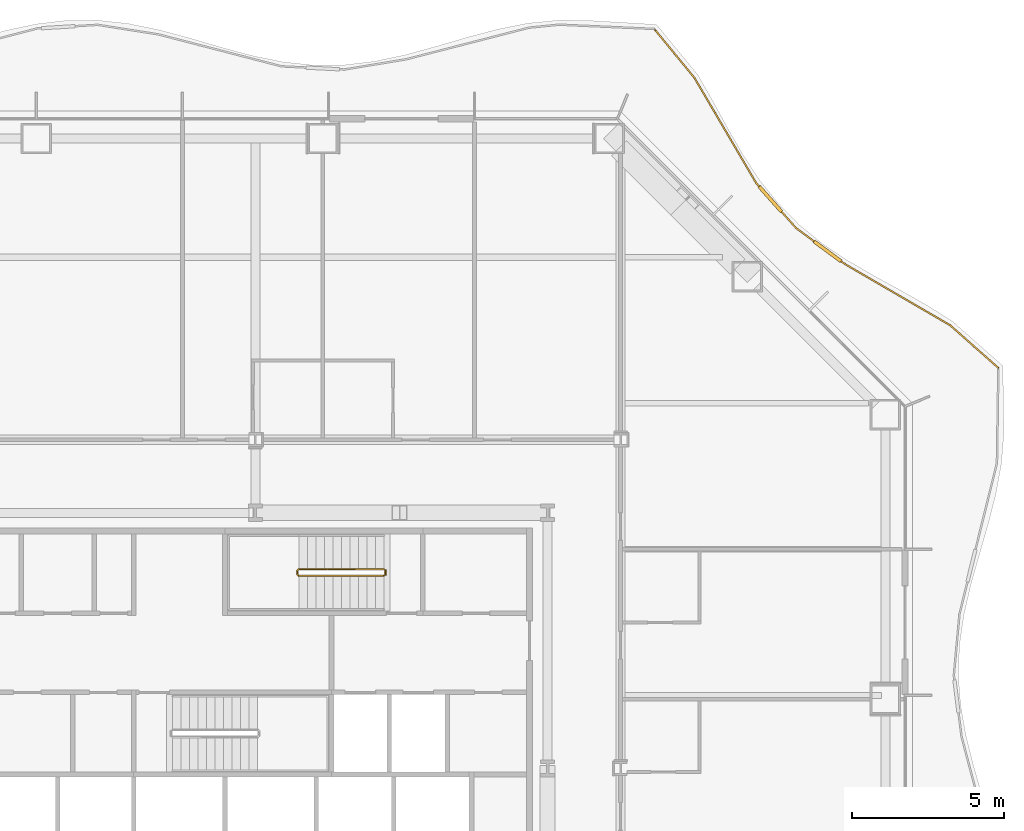
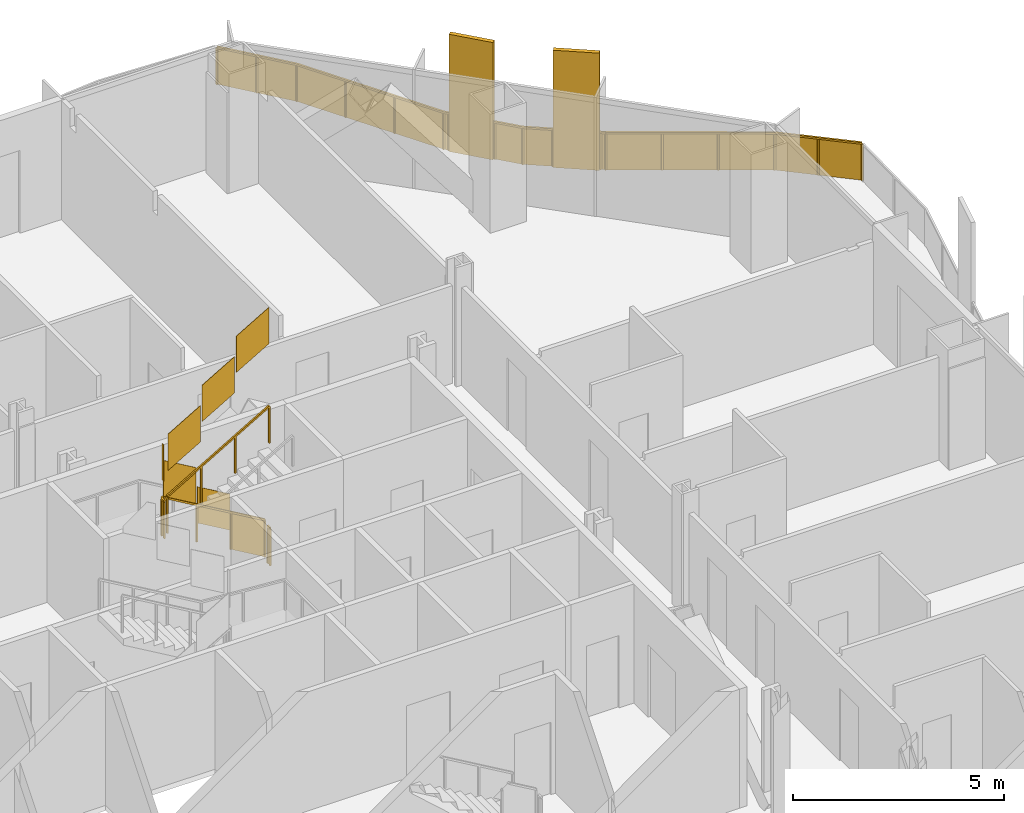
# One storey, part 20 of 20: 3 railings.
"""IFC4 building model written with IfcOpenShell, lengths in metres."""

from ifc_helpers import new_model, si_unit, direction, frame, origin, origin_2d, place, context, subcontext, project, spatial, polyline, rectangle, outline, extrude, material, type_object, element, save


model = new_model("IFC4")

# Units and contexts
model_context = context("Model", 3, precision=1e-05, world=origin(), true_north=direction((0.0, 1.0)))
body_context = subcontext(model_context, "Body", "Model", "MODEL_VIEW")
ifc_project = project(units=[si_unit("LENGTHUNIT", "METRE"), si_unit("AREAUNIT", "SQUARE_METRE"), si_unit("VOLUMEUNIT", "CUBIC_METRE"), si_unit("PLANEANGLEUNIT", "RADIAN"), si_unit("MASSUNIT", "GRAM", prefix="KILO")], contexts=[model_context])

# Site, building, storey
site_placement = place(None, origin())
site = spatial("IfcSite", under=ifc_project, at=site_placement, CompositionType="ELEMENT")
building_placement = place(site_placement, origin())
building = spatial("IfcBuilding", under=site, at=building_placement, Name="Cairn Pilgrim Tower", CompositionType="ELEMENT")
storey_placement = place(building_placement, frame((0.0, 0.0, 51.0)))
storey = spatial("IfcBuildingStorey", under=building, at=storey_placement, Name="L10", CompositionType="ELEMENT", Elevation=51.0)

# Railings
ifc_material_1 = material(Name="Bronze anodised aluminium rail, posts and fin screens with laminated glass infill", Category="aluminium")
railing_type_1 = type_object("IfcRailingType", Name="BALCONY GUARD WITH FIN SCREENS", PredefinedType="GUARDRAIL", material=ifc_material_1)
railing_1_placement = place(storey_placement, frame((31.614501953125, 15.5615234375, 0.0)))
element("IfcRailing", 1, at=railing_1_placement, inside=storey, type_object=railing_type_1, Name="Balcony guard BGF-4 with fin screens", PredefinedType="GUARDRAIL", context=body_context, shape_type="SweptSolid", body=[
    extrude(rectangle(XDim=0.050048828125, YDim=0.050048828125, at=origin_2d()), frame((0.0, 0.0, 1.0751953125), z_axis=(-0.749110938393, 0.662444565213, 0.0), x_axis=(-0.662444565213, -0.749110938393, 0.0)), (0.0, 0.0, 1.0), 2.118408203125),
    extrude(rectangle(XDim=0.050048828125, YDim=0.050048828125, at=origin_2d()), frame((-1.5869140625, 1.4033203125, 1.0751953125), z_axis=(-0.864566914372, 0.502517711702, 0.0), x_axis=(-0.502517711702, -0.864566914372, 0.0)), (0.0, 0.0, 1.0), 4.006103515625),
    extrude(rectangle(XDim=1.10009765625, YDim=0.110107421875, at=origin_2d()), frame((-5.613525390625, 3.83203125, 0.0), z_axis=(0.0, 0.0, 1.0), x_axis=(-0.804595063016, 0.593823866622, 0.0)), (0.0, 0.0, 1.0), 3.39990234375),
    extrude(rectangle(XDim=0.050048828125, YDim=0.050048828125, at=origin_2d()), frame((-5.050537109375, 3.41650390625, 1.0751953125), z_axis=(-0.804595063016, 0.593823866622, 0.0), x_axis=(-0.593823866622, -0.804595063016, 0.0)), (0.0, 0.0, 1.0), 0.14990234375),
    extrude(rectangle(XDim=0.050048828125, YDim=0.050048828125, at=origin_2d()), frame((-6.05615234375, 4.15869140625, 1.0751953125), z_axis=(-0.804595063016, 0.593823866622, 0.0), x_axis=(-0.593823866622, -0.804595063016, 0.0)), (0.0, 0.0, 1.0), 0.735595703125),
    extrude(rectangle(XDim=1.10009765625, YDim=0.110107421875, at=origin_2d()), frame((-7.49267578125, 5.548095703125, 0.0), z_axis=(0.0, 0.0, 1.0), x_axis=(-0.663526372196, 0.748152894401, 0.0)), (0.0, 0.0, 1.0), 3.39990234375),
    extrude(rectangle(XDim=0.050048828125, YDim=0.050048828125, at=origin_2d()), frame((-6.64794921875, 4.595458984375, 1.0751953125), z_axis=(-0.663526372196, 0.748152894401, 0.0), x_axis=(-0.748152894401, -0.663526372196, 0.0)), (0.0, 0.0, 1.0), 0.72314453125),
    extrude(rectangle(XDim=0.050048828125, YDim=0.050048828125, at=origin_2d()), frame((-7.857666015625, 5.95947265625, 1.0751953125), z_axis=(-0.663526372196, 0.748152894401, 0.0), x_axis=(-0.748152894401, -0.663526372196, 0.0)), (0.0, 0.0, 1.0), 0.150146484375),
    extrude(rectangle(XDim=0.050048828125, YDim=0.050048828125, at=origin_2d()), frame((-7.957275390625, 6.07177734375, 1.0751953125), z_axis=(-0.506003744629, 0.862531280837, 0.0), x_axis=(-0.862531280837, -0.506003744629, 0.0)), (0.0, 0.0, 1.0), 4.011474609375),
    extrude(rectangle(XDim=0.050048828125, YDim=0.050048828125, at=origin_2d()), frame((-9.987060546875, 9.53173828125, 1.0751953125), z_axis=(-0.634703363192, 0.772755873968, 0.0), x_axis=(-0.772755873968, -0.634703363192, 0.0)), (0.0, 0.0, 1.0), 2.021240234375),
    extrude(rectangle(XDim=0.050048828125, YDim=0.050048828125, at=origin_2d()), origin(), (0.0, 0.0, 1.0), 1.050048828125),
    extrude(rectangle(XDim=0.050048828125, YDim=0.050048828125, at=origin_2d()), frame((-0.79345703125, 0.70166015625, 0.0)), (0.0, 0.0, 1.0), 1.050048828125),
    extrude(rectangle(XDim=0.050048828125, YDim=0.050048828125, at=origin_2d()), frame((-1.5869140625, 1.4033203125, 0.0)), (0.0, 0.0, 1.0), 1.050048828125),
    extrude(rectangle(XDim=0.050048828125, YDim=0.050048828125, at=origin_2d()), frame((-2.741455078125, 2.074462890625, 0.0)), (0.0, 0.0, 1.0), 1.050048828125),
    extrude(rectangle(XDim=0.050048828125, YDim=0.050048828125, at=origin_2d()), frame((-3.89599609375, 2.745361328125, 0.0)), (0.0, 0.0, 1.0), 1.050048828125),
    extrude(rectangle(XDim=0.050048828125, YDim=0.050048828125, at=origin_2d()), frame((-5.050537109375, 3.41650390625, 0.0)), (0.0, 0.0, 1.0), 1.050048828125),
    extrude(rectangle(XDim=0.050048828125, YDim=0.050048828125, at=origin_2d()), frame((-5.15087890625, 3.49072265625, 0.0)), (0.0, 0.0, 1.0), 1.050048828125),
    extrude(rectangle(XDim=0.050048828125, YDim=0.050048828125, at=origin_2d()), frame((-6.076171875, 4.173583984375, 0.0)), (0.0, 0.0, 1.0), 1.050048828125),
    extrude(rectangle(XDim=0.050048828125, YDim=0.050048828125, at=origin_2d()), frame((-6.64794921875, 4.595458984375, 0.0)), (0.0, 0.0, 1.0), 1.050048828125),
    extrude(rectangle(XDim=0.050048828125, YDim=0.050048828125, at=origin_2d()), frame((-7.111328125, 5.117919921875, 0.0)), (0.0, 0.0, 1.0), 1.050048828125),
    extrude(rectangle(XDim=0.050048828125, YDim=0.050048828125, at=origin_2d()), frame((-7.874267578125, 5.978271484375, 0.0)), (0.0, 0.0, 1.0), 1.050048828125),
    extrude(rectangle(XDim=0.050048828125, YDim=0.050048828125, at=origin_2d()), frame((-7.957275390625, 6.07177734375, 0.0)), (0.0, 0.0, 1.0), 1.050048828125),
    extrude(rectangle(XDim=0.050048828125, YDim=0.050048828125, at=origin_2d()), frame((-8.6337890625, 7.22509765625, 0.0)), (0.0, 0.0, 1.0), 1.050048828125),
    extrude(rectangle(XDim=0.050048828125, YDim=0.050048828125, at=origin_2d()), frame((-9.310546875, 8.37841796875, 0.0)), (0.0, 0.0, 1.0), 1.050048828125),
    extrude(rectangle(XDim=0.050048828125, YDim=0.050048828125, at=origin_2d()), frame((-9.987060546875, 9.53173828125, 0.0)), (0.0, 0.0, 1.0), 1.050048828125),
    extrude(rectangle(XDim=0.050048828125, YDim=0.050048828125, at=origin_2d()), frame((-10.62841796875, 10.312744140625, 0.0)), (0.0, 0.0, 1.0), 1.050048828125),
    extrude(rectangle(XDim=0.050048828125, YDim=0.050048828125, at=origin_2d()), frame((-11.27001953125, 11.09375, 0.0)), (0.0, 0.0, 1.0), 1.050048828125),
    extrude(outline(polyline([(0.02490234375, 0.0), (1.0341796875, 0.0), (1.0341796875, 1.050048828125), (0.02490234375, 1.050048828125), (0.02490234375, 0.0)])), frame((-0.00390625, -0.00439453125, 0.0), z_axis=(0.662444565213, 0.749110938393, 0.0), x_axis=(-0.749110938393, 0.662444565213, 0.0)), (0.0, 0.0, 1.0), 0.011962890625),
    extrude(outline(polyline([(0.02490234375, 0.0), (1.0341796875, 0.0), (1.0341796875, 1.050048828125), (0.02490234375, 1.050048828125), (0.02490234375, 0.0)])), frame((-0.79736328125, 0.697265625, 0.0), z_axis=(0.662444565213, 0.749110938393, 0.0), x_axis=(-0.749110938393, 0.662444565213, 0.0)), (0.0, 0.0, 1.0), 0.011962890625),
    extrude(outline(polyline([(0.02490234375, 0.0), (1.310302734375, 0.0), (1.310302734375, 1.050048828125), (0.02490234375, 1.050048828125), (0.02490234375, 0.0)])), frame((-1.58984375, 1.398193359375, 0.0), z_axis=(0.502517711702, 0.864566914372, 0.0), x_axis=(-0.864566914372, 0.502517711702, 0.0)), (0.0, 0.0, 1.0), 0.011962890625),
    extrude(outline(polyline([(0.02490234375, 0.0), (1.310302734375, 0.0), (1.310302734375, 1.050048828125), (0.02490234375, 1.050048828125), (0.02490234375, 0.0)])), frame((-2.744384765625, 2.069091796875, 0.0), z_axis=(0.502517711702, 0.864566914372, 0.0), x_axis=(-0.864566914372, 0.502517711702, 0.0)), (0.0, 0.0, 1.0), 0.011962890625),
    extrude(outline(polyline([(0.02490234375, 0.0), (1.310302734375, 0.0), (1.310302734375, 1.050048828125), (0.02490234375, 1.050048828125), (0.02490234375, 0.0)])), frame((-3.89892578125, 2.740234375, 0.0), z_axis=(0.502517711702, 0.864566914372, 0.0), x_axis=(-0.864566914372, 0.502517711702, 0.0)), (0.0, 0.0, 1.0), 0.011962890625),
    extrude(outline(polyline([(0.02490234375, 0.0), (0.099853515625, 0.0), (0.099853515625, 1.050048828125), (0.02490234375, 1.050048828125), (0.02490234375, 0.0)])), frame((-5.05419921875, 3.41162109375, 0.0), z_axis=(0.593823866622, 0.804595063016, 0.0), x_axis=(-0.804595063016, 0.593823866622, 0.0)), (0.0, 0.0, 1.0), 0.011962890625),
    extrude(outline(polyline([(0.02490234375, 0.0), (0.685546875, 0.0), (0.685546875, 1.050048828125), (0.02490234375, 1.050048828125), (0.02490234375, 0.0)])), frame((-6.079833984375, 4.168701171875, 0.0), z_axis=(0.593823866622, 0.804595063016, 0.0), x_axis=(-0.804595063016, 0.593823866622, 0.0)), (0.0, 0.0, 1.0), 0.011962890625),
    extrude(outline(polyline([(0.02490234375, 0.0), (0.673095703125, 0.0), (0.673095703125, 1.050048828125), (0.02490234375, 1.050048828125), (0.02490234375, 0.0)])), frame((-6.65234375, 4.591552734375, 0.0), z_axis=(0.748152894401, 0.663526372196, 0.0), x_axis=(-0.663526372196, 0.748152894401, 0.0)), (0.0, 0.0, 1.0), 0.011962890625),
    extrude(outline(polyline([(0.02490234375, 0.0), (0.10009765625, 0.0), (0.10009765625, 1.050048828125), (0.02490234375, 1.050048828125), (0.02490234375, 0.0)])), frame((-7.87890625, 5.974365234375, 0.0), z_axis=(0.748152894401, 0.663526372196, 0.0), x_axis=(-0.663526372196, 0.748152894401, 0.0)), (0.0, 0.0, 1.0), 0.011962890625),
    extrude(outline(polyline([(0.02490234375, 0.0), (1.31201171875, 0.0), (1.31201171875, 1.050048828125), (0.02490234375, 1.050048828125), (0.02490234375, 0.0)])), frame((-7.96240234375, 6.06884765625, 0.0), z_axis=(0.862531280837, 0.506003744629, 0.0), x_axis=(-0.506003744629, 0.862531280837, 0.0)), (0.0, 0.0, 1.0), 0.011962890625),
    extrude(outline(polyline([(0.02490234375, 0.0), (1.31201171875, 0.0), (1.31201171875, 1.050048828125), (0.02490234375, 1.050048828125), (0.02490234375, 0.0)])), frame((-8.638916015625, 7.22216796875, 0.0), z_axis=(0.862531280837, 0.506003744629, 0.0), x_axis=(-0.506003744629, 0.862531280837, 0.0)), (0.0, 0.0, 1.0), 0.011962890625),
    extrude(outline(polyline([(0.02490234375, 0.0), (1.31201171875, 0.0), (1.31201171875, 1.050048828125), (0.02490234375, 1.050048828125), (0.02490234375, 0.0)])), frame((-9.315673828125, 8.37548828125, 0.0), z_axis=(0.862531280837, 0.506003744629, 0.0), x_axis=(-0.506003744629, 0.862531280837, 0.0)), (0.0, 0.0, 1.0), 0.011962890625),
    extrude(outline(polyline([(0.02490234375, 0.0), (0.985595703125, 0.0), (0.985595703125, 1.050048828125), (0.02490234375, 1.050048828125), (0.02490234375, 0.0)])), frame((-9.99169921875, 9.52783203125, 0.0), z_axis=(0.772755873968, 0.634703363192, 0.0), x_axis=(-0.634703363192, 0.772755873968, 0.0)), (0.0, 0.0, 1.0), 0.011962890625),
    extrude(outline(polyline([(0.02490234375, 0.0), (0.985595703125, 0.0), (0.985595703125, 1.050048828125), (0.02490234375, 1.050048828125), (0.02490234375, 0.0)])), frame((-10.633056640625, 10.308837890625, 0.0), z_axis=(0.772755873968, 0.634703363192, 0.0), x_axis=(-0.634703363192, 0.772755873968, 0.0)), (0.0, 0.0, 1.0), 0.011962890625),
])
ifc_material_2 = material(Name="Painted steel", Category="steel")
railing_type_2 = type_object("IfcRailingType", Name="STAIR GUARD 1100", PredefinedType="GUARDRAIL", material=ifc_material_2)
railing_2_placement = place(storey_placement, frame((11.425048828125, 8.949951171875, 0.16357421875)))
element("IfcRailing", 2, at=railing_2_placement, inside=storey, type_object=railing_type_2, Name="L10 ST-C stair guard 1", PredefinedType="GUARDRAIL", context=body_context, shape_type="SweptSolid", body=[
    extrude(rectangle(XDim=0.048095703125, YDim=0.048095703125, at=origin_2d()), frame((0.0, 0.0, 1.076171875), z_axis=(-0.863360870873, 0.0, 0.504586966384), x_axis=(0.0, -1.0, 0.0)), (0.0, 0.0, 1.0), 3.2431640625),
    extrude(rectangle(XDim=0.048095703125, YDim=0.048095703125, at=origin_2d()), frame((-2.800048828125, 0.0, 2.71240234375), z_axis=(-0.707106781187, -0.707106781187, 0.0), x_axis=(0.707106781187, -0.707106781187, 0.0)), (0.0, 0.0, 1.0), 0.07080078125),
    extrude(rectangle(XDim=0.048095703125, YDim=0.048095703125, at=origin_2d()), frame((-2.85009765625, -0.050048828125, 2.71240234375), z_axis=(0.0, -1.0, 0.0), x_axis=(1.0, 0.0, 0.0)), (0.0, 0.0, 1.0), 0.125),
    extrude(rectangle(XDim=0.048095703125, YDim=0.048095703125, at=origin_2d()), frame((-2.85009765625, -0.175048828125, 2.71240234375), z_axis=(0.280916556609, -0.279546231943, 0.91811752648), x_axis=(0.705375805398, 0.708833529934, 0.0)), (0.0, 0.0, 1.0), 0.17822265625),
    extrude(rectangle(XDim=0.048095703125, YDim=0.048095703125, at=origin_2d()), frame((-2.800048828125, -0.224853515625, 2.8759765625), z_axis=(0.863360870873, 0.0, 0.504586966384), x_axis=(0.0, 1.0, 0.0)), (0.0, 0.0, 1.0), 3.2431640625),
    extrude(rectangle(XDim=0.0419921875, YDim=0.0419921875, at=origin_2d()), origin(), (0.0, 0.0, 1.0), 1.052001953125),
    extrude(rectangle(XDim=0.0419921875, YDim=0.0419921875, at=origin_2d()), frame((-0.933349609375, 0.0, 0.54541015625)), (0.0, 0.0, 1.0), 1.052001953125),
    extrude(rectangle(XDim=0.0419921875, YDim=0.0419921875, at=origin_2d()), frame((-1.86669921875, 0.0, 1.091064453125)), (0.0, 0.0, 1.0), 1.052001953125),
    extrude(rectangle(XDim=0.0419921875, YDim=0.0419921875, at=origin_2d()), frame((-2.800048828125, 0.0, 1.636474609375)), (0.0, 0.0, 1.0), 1.052001953125),
    extrude(rectangle(XDim=0.0419921875, YDim=0.0419921875, at=origin_2d()), frame((-2.85009765625, -0.050048828125, 1.636474609375)), (0.0, 0.0, 1.0), 1.052001953125),
    extrude(rectangle(XDim=0.0419921875, YDim=0.0419921875, at=origin_2d()), frame((-2.85009765625, -0.175048828125, 1.636474609375)), (0.0, 0.0, 1.0), 1.052001953125),
    extrude(rectangle(XDim=0.0419921875, YDim=0.0419921875, at=origin_2d()), frame((-2.800048828125, -0.224853515625, 1.800048828125)), (0.0, 0.0, 1.0), 1.052001953125),
    extrude(rectangle(XDim=0.0419921875, YDim=0.0419921875, at=origin_2d()), frame((-1.86669921875, -0.224853515625, 2.345458984375)), (0.0, 0.0, 1.0), 1.052001953125),
    extrude(rectangle(XDim=0.0419921875, YDim=0.0419921875, at=origin_2d()), frame((-0.933349609375, -0.224853515625, 2.89111328125)), (0.0, 0.0, 1.0), 1.052001953125),
    extrude(rectangle(XDim=0.0419921875, YDim=0.0419921875, at=origin_2d()), frame((0.0, -0.224853515625, 3.4365234375)), (0.0, 0.0, 1.0), 1.052001953125),
    extrude(outline(polyline([(0.02099609375, 0.01220703125), (0.912353515625, 0.533203125), (0.912353515625, 1.585205078125), (0.02099609375, 1.064208984375), (0.02099609375, 0.01220703125)])), frame((0.0, -0.005859375, 0.0), z_axis=(0.0, 1.0, 0.0), x_axis=(-1.0, 0.0, 0.0)), (0.0, 0.0, 1.0), 0.011962890625),
    extrude(outline(polyline([(0.02099609375, 0.557861328125), (0.912353515625, 1.07861328125), (0.912353515625, 2.130615234375), (0.02099609375, 1.60986328125), (0.02099609375, 0.557861328125)])), frame((-0.933349609375, -0.005859375, 0.54541015625), z_axis=(0.0, 1.0, 0.0), x_axis=(-1.0, 0.0, 0.0)), (0.0, 0.0, 1.0), 0.011962890625),
    extrude(outline(polyline([(0.02099609375, 1.103271484375), (0.912353515625, 1.624267578125), (0.912353515625, 2.67626953125), (0.02099609375, 2.1552734375), (0.02099609375, 1.103271484375)])), frame((-1.86669921875, -0.005859375, 1.091064453125), z_axis=(0.0, 1.0, 0.0), x_axis=(-1.0, 0.0, 0.0)), (0.0, 0.0, 1.0), 0.011962890625),
    extrude(outline(polyline([(0.02099609375, 1.636474609375), (0.10400390625, 1.636474609375), (0.10400390625, 2.6884765625), (0.02099609375, 2.6884765625), (0.02099609375, 1.636474609375)])), frame((-2.84423828125, -0.050048828125, 1.636474609375), z_axis=(-1.0, 0.0, 0.0), x_axis=(0.0, -1.0, 0.0)), (0.0, 0.0, 1.0), 0.011962890625),
    extrude(outline(polyline([(0.02099609375, 1.812255859375), (0.912353515625, 2.333251953125), (0.912353515625, 3.38525390625), (0.02099609375, 2.8642578125), (0.02099609375, 1.812255859375)])), frame((-2.800048828125, -0.21875, 1.800048828125), z_axis=(0.0, -1.0, 0.0), x_axis=(1.0, 0.0, 0.0)), (0.0, 0.0, 1.0), 0.011962890625),
    extrude(outline(polyline([(0.02099609375, 2.35791015625), (0.912353515625, 2.878662109375), (0.912353515625, 3.9306640625), (0.02099609375, 3.409912109375), (0.02099609375, 2.35791015625)])), frame((-1.86669921875, -0.21875, 2.345458984375), z_axis=(0.0, -1.0, 0.0), x_axis=(1.0, 0.0, 0.0)), (0.0, 0.0, 1.0), 0.011962890625),
    extrude(outline(polyline([(0.02099609375, 2.9033203125), (0.912353515625, 3.42431640625), (0.912353515625, 4.476318359375), (0.02099609375, 3.955322265625), (0.02099609375, 2.9033203125)])), frame((-0.933349609375, -0.21875, 2.89111328125), z_axis=(0.0, -1.0, 0.0), x_axis=(1.0, 0.0, 0.0)), (0.0, 0.0, 1.0), 0.011962890625),
])
railing_3_placement = place(storey_placement, frame((11.47509765625, 8.89990234375, 0.0)))
element("IfcRailing", 3, at=railing_3_placement, inside=storey, type_object=railing_type_2, Name="L10 ST-C stair guard 2", PredefinedType="GUARDRAIL", context=body_context, shape_type="SweptSolid", body=[
    extrude(rectangle(XDim=0.048095703125, YDim=0.048095703125, at=origin_2d()), frame((0.0, 0.0, 1.076171875), z_axis=(0.0, -1.0, 0.0), x_axis=(1.0, 0.0, 0.0)), (0.0, 0.0, 1.0), 0.125),
    extrude(rectangle(XDim=0.0419921875, YDim=0.0419921875, at=origin_2d()), origin(), (0.0, 0.0, 1.0), 1.052001953125),
    extrude(rectangle(XDim=0.0419921875, YDim=0.0419921875, at=origin_2d()), frame((0.0, -0.125, 0.0)), (0.0, 0.0, 1.0), 1.052001953125),
    extrude(outline(polyline([(0.02099609375, 0.0), (0.10400390625, 0.0), (0.10400390625, 1.052001953125), (0.02099609375, 1.052001953125), (0.02099609375, 0.0)])), frame((0.005859375, 0.0, 0.0), z_axis=(-1.0, 0.0, 0.0), x_axis=(0.0, -1.0, 0.0)), (0.0, 0.0, 1.0), 0.011962890625),
])

save(model, "model.ifc")
